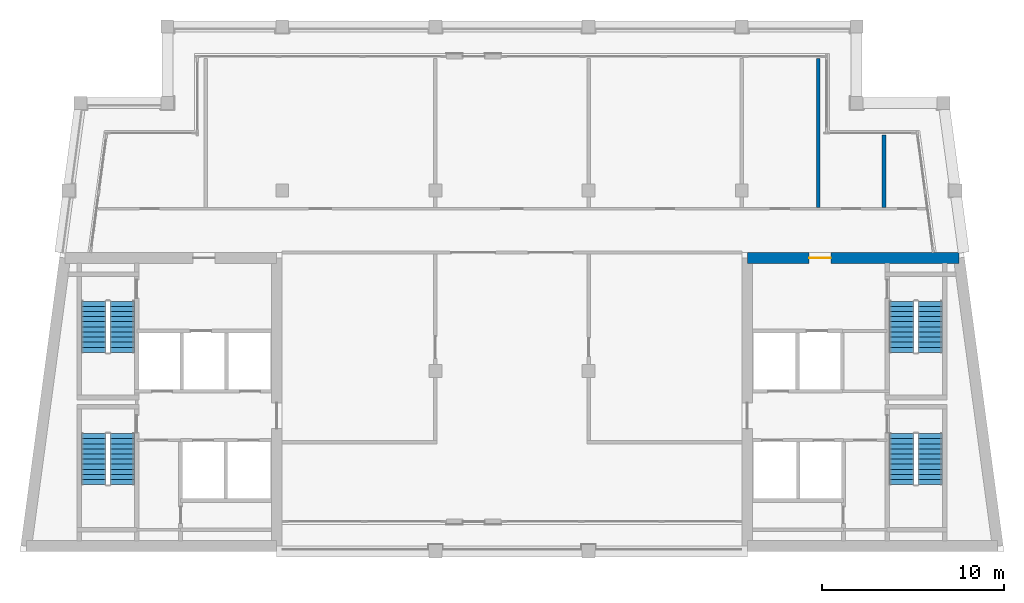
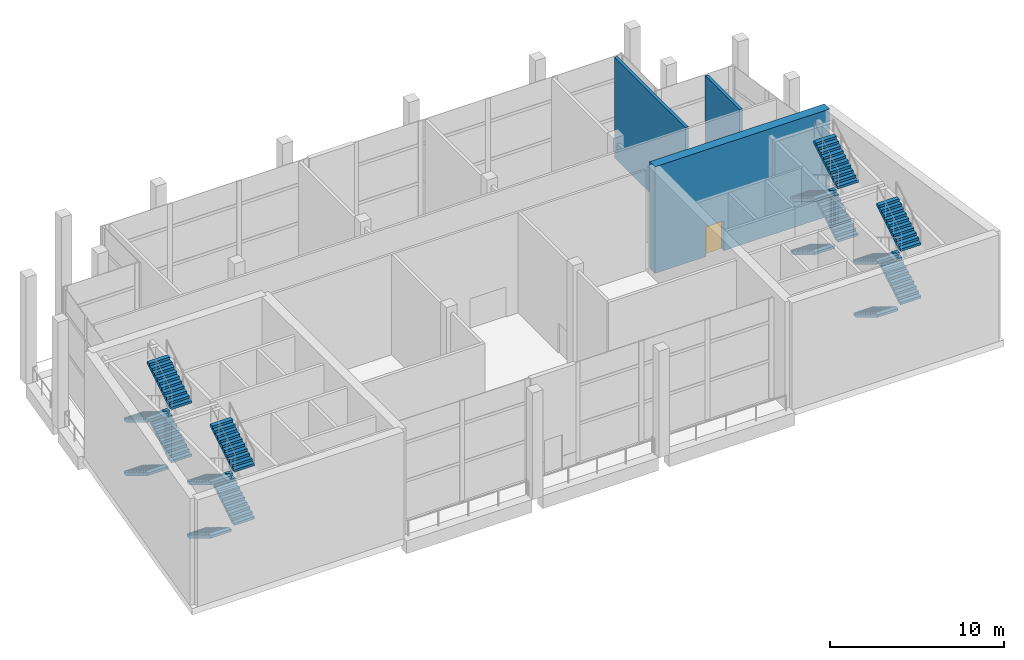
# One storey, part 6 of 9: 16 stair flights, 3 walls, 1 door, 1 opening, 4 elements without a shape of their own.
"""IFC4 building model written with IfcOpenShell, lengths in metres."""

from ifc_helpers import new_model, si_unit, direction, frame, frame_2d, origin, place, context, subcontext, project, spatial, polyline, rectangle, outline, extrude, material, layer, layer_set, type_object, element, fill, aggregate, save


model = new_model("IFC4")

# Units and contexts
model_context = context("Model", 3, precision=1e-05, world=origin(), true_north=direction((0.0, 1.0)))
body_context = subcontext(model_context, "Body", "Model", "MODEL_VIEW")
ifc_project = project(units=[si_unit("LENGTHUNIT", "METRE"), si_unit("AREAUNIT", "SQUARE_METRE"), si_unit("VOLUMEUNIT", "CUBIC_METRE"), si_unit("PLANEANGLEUNIT", "RADIAN"), si_unit("MASSUNIT", "GRAM", prefix="KILO")], contexts=[model_context])

# Site, building, storey
site_placement = place(None, origin())
site = spatial("IfcSite", under=ifc_project, at=site_placement, CompositionType="ELEMENT")
building_placement = place(site_placement, origin())
building = spatial("IfcBuilding", under=site, at=building_placement, Name="Candeia Pilgrim Tower and Theatre", CompositionType="ELEMENT")
storey_placement = place(building_placement, frame((0.0, 0.0, 307.89990234375)))
storey = spatial("IfcBuildingStorey", under=building, at=storey_placement, Name="L75", CompositionType="ELEMENT", Elevation=307.89990234375)

# Wall, opening, door
ifc_material_1 = material(Name="Concrete C40/50", Category="concrete")
ifc_layer_1 = layer(ifc_material_1, 0.60009765625)
ifc_layer_set_1 = layer_set([ifc_layer_1], Name="Core wall 600 C40/50")
wall_type_1 = type_object("IfcWallType", Name="Core wall 600 C40/50", PredefinedType="SHEAR", material=ifc_layer_set_1)
wall_1_placement = place(storey_placement, frame((126.300048828125, 132.10009765625, 0.0), z_axis=(0.0, 0.0, 1.0), x_axis=(1.0, 0.0, 0.0)))
wall_1 = element("IfcWall", 1, at=wall_1_placement, inside=storey, type_object=wall_type_1, Name="Core wall E1", PredefinedType="SHEAR", context=body_context, shape_type="SweptSolid", body=[
    extrude(rectangle(XDim=11.60693359375, YDim=0.60009765625, at=frame_2d((5.803466796875, 0.0))), origin(), (0.0, 0.0, 1.0), 7.5),
])
opening_placement = place(wall_1_placement, frame((3.386474609375, 0.0, 0.0)))
opening = element("IfcOpeningElement", 2, at=opening_placement, cuts=wall_1, Name="Opening L75-D022", PredefinedType="OPENING", context=body_context, shape_type="SweptSolid", body=[
    extrude(rectangle(XDim=1.199951171875, YDim=2.10009765625, at=frame_2d((0.60009765625, 1.050048828125))), frame((0.0, 0.31005859375, 0.0), z_axis=(0.0, -1.0, 0.0), x_axis=(1.0, 0.0, 0.0)), (0.0, 0.0, 1.0), 0.6201171875),
])
ifc_material_2 = material(Name="Steel fire door set", Category="steel")
door_type = type_object("IfcDoorType", Name="D-1200-FD60", OperationType="NOTDEFINED", PredefinedType="DOOR", material=ifc_material_2)
door_placement = place(opening_placement, origin())
door = element("IfcDoor", 3, at=door_placement, inside=storey, type_object=door_type, Name="Door L75-D022", OperationType="SINGLE_SWING_RIGHT", OverallHeight=2.10009765625, OverallWidth=1.199951171875, PredefinedType="DOOR", context=body_context, shape_type="SweptSolid", body=[
    extrude(rectangle(XDim=1.199951171875, YDim=2.10009765625, at=frame_2d((0.60009765625, 1.050048828125))), frame((0.0, 0.02490234375, 0.0), z_axis=(0.0, -1.0, 0.0), x_axis=(1.0, 0.0, 0.0)), (0.0, 0.0, 1.0), 0.050048828125),
])
fill(opening, door)

# Walls
ifc_material_3 = material(Name="Gypsum board partition on steel studs", Category="steel")
ifc_layer_2 = layer(ifc_material_3, 0.199951171875)
ifc_layer_set_2 = layer_set([ifc_layer_2], Name="PW-200 party wall")
wall_type_2 = type_object("IfcWallType", Name="PW-200 party wall", PredefinedType="PARTITIONING", material=ifc_layer_set_2)
wall_2_placement = place(storey_placement, frame((130.199951171875, 134.875, 0.0), z_axis=(0.0, 0.0, 1.0), x_axis=(0.0, 1.0, 0.0)))
element("IfcWall", 4, at=wall_2_placement, inside=storey, type_object=wall_type_2, Name="Party wall L75-046", PredefinedType="PARTITIONING", context=body_context, shape_type="SweptSolid", body=[
    extrude(rectangle(XDim=8.1650390625, YDim=0.199951171875, at=frame_2d((4.08251953125, 0.0))), origin(), (0.0, 0.0, 1.0), 7.050048828125),
])
wall_3_placement = place(storey_placement, frame((133.800048828125, 134.875, 0.0), z_axis=(0.0, 0.0, 1.0), x_axis=(0.0, 1.0, 0.0)))
element("IfcWall", 5, at=wall_3_placement, inside=storey, type_object=wall_type_2, Name="Party wall L75-049", PredefinedType="PARTITIONING", context=body_context, shape_type="SweptSolid", body=[
    extrude(rectangle(XDim=3.965087890625, YDim=0.199951171875, at=frame_2d((1.982421875, 0.0))), origin(), (0.0, 0.0, 1.0), 7.050048828125),
])

# Stair, stair flights
stair_type = type_object("IfcStairType", Name="ST-TWR dog-leg escape stair", PredefinedType="HALF_TURN_STAIR", material=ifc_material_1)
stair_1_placement = place(storey_placement, origin())
stair_1 = element("IfcStair", 6, at=stair_1_placement, inside=storey, type_object=stair_type, Name="L75 Escape stair ST1", PredefinedType="HALF_TURN_STAIR")
stair_flight_type = type_object("IfcStairFlightType", Name="SFL-RC stair flight", PredefinedType="STRAIGHT", material=ifc_material_1)
stair_flight_1_placement = place(storey_placement, frame((90.47705078125, 122.47509765625, 0.0), z_axis=(0.0, 0.0, 1.0), x_axis=(0.0, -1.0, 0.0)))
stair_flight_1 = element("IfcStairFlight", 7, at=stair_flight_1_placement, type_object=stair_flight_type, Name="ST1 flight 1", NumberOfRisers=11, NumberOfTreads=10, PredefinedType="STRAIGHT", RiserHeight=0.170454545, TreadLength=0.28, context=body_context, shape_type="SweptSolid", body=[
    extrude(outline(polyline([(0.0, 0.0), (0.0, 0.17041015625), (0.280029296875, 0.17041015625), (0.280029296875, 0.3408203125), (0.56005859375, 0.3408203125), (0.56005859375, 0.511474609375), (0.840087890625, 0.511474609375), (0.840087890625, 0.681884765625), (1.1201171875, 0.681884765625), (1.1201171875, 0.852294921875), (1.39990234375, 0.852294921875), (1.39990234375, 1.022705078125), (1.679931640625, 1.022705078125), (1.679931640625, 1.193115234375), (1.9599609375, 1.193115234375), (1.9599609375, 1.363525390625), (2.239990234375, 1.363525390625), (2.239990234375, 1.5341796875), (2.52001953125, 1.5341796875), (2.52001953125, 1.70458984375), (2.800048828125, 1.70458984375), (2.800048828125, 1.875), (2.800048828125, 1.529052734375), (0.288330078125, 0.0), (0.0, 0.0)])), frame((0.0, 0.675048828125, 0.0), z_axis=(0.0, -1.0, 0.0), x_axis=(1.0, 0.0, 0.0)), (0.0, 0.0, 1.0), 1.35009765625),
])
stair_flight_2_placement = place(storey_placement, frame((92.027099609375, 119.675048828125, 1.875), z_axis=(0.0, 0.0, 1.0), x_axis=(0.0, 1.0, 0.0)))
stair_flight_2 = element("IfcStairFlight", 8, at=stair_flight_2_placement, type_object=stair_flight_type, Name="ST1 flight 2", NumberOfRisers=11, NumberOfTreads=10, PredefinedType="STRAIGHT", RiserHeight=0.170454545, TreadLength=0.28, context=body_context, shape_type="SweptSolid", body=[
    extrude(outline(polyline([(0.0, 0.0), (0.0, 0.17041015625), (0.280029296875, 0.17041015625), (0.280029296875, 0.3408203125), (0.56005859375, 0.3408203125), (0.56005859375, 0.511474609375), (0.840087890625, 0.511474609375), (0.840087890625, 0.681884765625), (1.1201171875, 0.681884765625), (1.1201171875, 0.852294921875), (1.39990234375, 0.852294921875), (1.39990234375, 1.022705078125), (1.679931640625, 1.022705078125), (1.679931640625, 1.193115234375), (1.9599609375, 1.193115234375), (1.9599609375, 1.363525390625), (2.239990234375, 1.363525390625), (2.239990234375, 1.5341796875), (2.52001953125, 1.5341796875), (2.52001953125, 1.70458984375), (2.800048828125, 1.70458984375), (2.800048828125, 1.875), (2.800048828125, 1.529052734375), (0.288330078125, 0.0), (0.0, 0.0)])), frame((0.0, 0.675048828125, 0.0), z_axis=(0.0, -1.0, 0.0), x_axis=(1.0, 0.0, 0.0)), (0.0, 0.0, 1.0), 1.35009765625),
])
stair_flight_3_placement = place(storey_placement, frame((90.47705078125, 122.47509765625, 3.75), z_axis=(0.0, 0.0, 1.0), x_axis=(0.0, -1.0, 0.0)))
stair_flight_3 = element("IfcStairFlight", 9, at=stair_flight_3_placement, type_object=stair_flight_type, Name="ST1 flight 3", NumberOfRisers=11, NumberOfTreads=10, PredefinedType="STRAIGHT", RiserHeight=0.170454545, TreadLength=0.28, context=body_context, shape_type="SweptSolid", body=[
    extrude(outline(polyline([(0.0, 0.0), (0.0, 0.17041015625), (0.280029296875, 0.17041015625), (0.280029296875, 0.3408203125), (0.56005859375, 0.3408203125), (0.56005859375, 0.511474609375), (0.840087890625, 0.511474609375), (0.840087890625, 0.681884765625), (1.1201171875, 0.681884765625), (1.1201171875, 0.852294921875), (1.39990234375, 0.852294921875), (1.39990234375, 1.022705078125), (1.679931640625, 1.022705078125), (1.679931640625, 1.193115234375), (1.9599609375, 1.193115234375), (1.9599609375, 1.363525390625), (2.239990234375, 1.363525390625), (2.239990234375, 1.5341796875), (2.52001953125, 1.5341796875), (2.52001953125, 1.70458984375), (2.800048828125, 1.70458984375), (2.800048828125, 1.875), (2.800048828125, 1.529052734375), (0.288330078125, 0.0), (0.0, 0.0)])), frame((0.0, 0.675048828125, 0.0), z_axis=(0.0, -1.0, 0.0), x_axis=(1.0, 0.0, 0.0)), (0.0, 0.0, 1.0), 1.35009765625),
])
stair_flight_4_placement = place(storey_placement, frame((92.027099609375, 119.675048828125, 5.625), z_axis=(0.0, 0.0, 1.0), x_axis=(0.0, 1.0, 0.0)))
stair_flight_4 = element("IfcStairFlight", 10, at=stair_flight_4_placement, type_object=stair_flight_type, Name="ST1 flight 4", NumberOfRisers=11, NumberOfTreads=10, PredefinedType="STRAIGHT", RiserHeight=0.170454545, TreadLength=0.28, context=body_context, shape_type="SweptSolid", body=[
    extrude(outline(polyline([(0.0, 0.0), (0.0, 0.17041015625), (0.280029296875, 0.17041015625), (0.280029296875, 0.3408203125), (0.56005859375, 0.3408203125), (0.56005859375, 0.511474609375), (0.840087890625, 0.511474609375), (0.840087890625, 0.681884765625), (1.1201171875, 0.681884765625), (1.1201171875, 0.852294921875), (1.39990234375, 0.852294921875), (1.39990234375, 1.022705078125), (1.679931640625, 1.022705078125), (1.679931640625, 1.193115234375), (1.9599609375, 1.193115234375), (1.9599609375, 1.363525390625), (2.239990234375, 1.363525390625), (2.239990234375, 1.5341796875), (2.52001953125, 1.5341796875), (2.52001953125, 1.70458984375), (2.800048828125, 1.70458984375), (2.800048828125, 1.875), (2.800048828125, 1.529052734375), (0.288330078125, 0.0), (0.0, 0.0)])), frame((0.0, 0.675048828125, 0.0), z_axis=(0.0, -1.0, 0.0), x_axis=(1.0, 0.0, 0.0)), (0.0, 0.0, 1.0), 1.35009765625),
])
aggregate(stair_1, [stair_flight_1, stair_flight_2, stair_flight_3, stair_flight_4])

stair_2_placement = place(storey_placement, origin())
stair_2 = element("IfcStair", 11, at=stair_2_placement, inside=storey, type_object=stair_type, Name="L75 Escape stair ST2", PredefinedType="HALF_TURN_STAIR")
stair_flight_5_placement = place(storey_placement, frame((90.47705078125, 129.72509765625, 0.0), z_axis=(0.0, 0.0, 1.0), x_axis=(0.0, -1.0, 0.0)))
stair_flight_5 = element("IfcStairFlight", 12, at=stair_flight_5_placement, type_object=stair_flight_type, Name="ST2 flight 1", NumberOfRisers=11, NumberOfTreads=10, PredefinedType="STRAIGHT", RiserHeight=0.170454545, TreadLength=0.28, context=body_context, shape_type="SweptSolid", body=[
    extrude(outline(polyline([(0.0, 0.0), (0.0, 0.17041015625), (0.280029296875, 0.17041015625), (0.280029296875, 0.3408203125), (0.56005859375, 0.3408203125), (0.56005859375, 0.511474609375), (0.840087890625, 0.511474609375), (0.840087890625, 0.681884765625), (1.1201171875, 0.681884765625), (1.1201171875, 0.852294921875), (1.39990234375, 0.852294921875), (1.39990234375, 1.022705078125), (1.679931640625, 1.022705078125), (1.679931640625, 1.193115234375), (1.9599609375, 1.193115234375), (1.9599609375, 1.363525390625), (2.239990234375, 1.363525390625), (2.239990234375, 1.5341796875), (2.52001953125, 1.5341796875), (2.52001953125, 1.70458984375), (2.800048828125, 1.70458984375), (2.800048828125, 1.875), (2.800048828125, 1.529052734375), (0.288330078125, 0.0), (0.0, 0.0)])), frame((0.0, 0.675048828125, 0.0), z_axis=(0.0, -1.0, 0.0), x_axis=(1.0, 0.0, 0.0)), (0.0, 0.0, 1.0), 1.35009765625),
])
stair_flight_6_placement = place(storey_placement, frame((92.027099609375, 126.925048828125, 1.875), z_axis=(0.0, 0.0, 1.0), x_axis=(0.0, 1.0, 0.0)))
stair_flight_6 = element("IfcStairFlight", 13, at=stair_flight_6_placement, type_object=stair_flight_type, Name="ST2 flight 2", NumberOfRisers=11, NumberOfTreads=10, PredefinedType="STRAIGHT", RiserHeight=0.170454545, TreadLength=0.28, context=body_context, shape_type="SweptSolid", body=[
    extrude(outline(polyline([(0.0, 0.0), (0.0, 0.17041015625), (0.280029296875, 0.17041015625), (0.280029296875, 0.3408203125), (0.56005859375, 0.3408203125), (0.56005859375, 0.511474609375), (0.840087890625, 0.511474609375), (0.840087890625, 0.681884765625), (1.1201171875, 0.681884765625), (1.1201171875, 0.852294921875), (1.39990234375, 0.852294921875), (1.39990234375, 1.022705078125), (1.679931640625, 1.022705078125), (1.679931640625, 1.193115234375), (1.9599609375, 1.193115234375), (1.9599609375, 1.363525390625), (2.239990234375, 1.363525390625), (2.239990234375, 1.5341796875), (2.52001953125, 1.5341796875), (2.52001953125, 1.70458984375), (2.800048828125, 1.70458984375), (2.800048828125, 1.875), (2.800048828125, 1.529052734375), (0.288330078125, 0.0), (0.0, 0.0)])), frame((0.0, 0.675048828125, 0.0), z_axis=(0.0, -1.0, 0.0), x_axis=(1.0, 0.0, 0.0)), (0.0, 0.0, 1.0), 1.35009765625),
])
stair_flight_7_placement = place(storey_placement, frame((90.47705078125, 129.72509765625, 3.75), z_axis=(0.0, 0.0, 1.0), x_axis=(0.0, -1.0, 0.0)))
stair_flight_7 = element("IfcStairFlight", 14, at=stair_flight_7_placement, type_object=stair_flight_type, Name="ST2 flight 3", NumberOfRisers=11, NumberOfTreads=10, PredefinedType="STRAIGHT", RiserHeight=0.170454545, TreadLength=0.28, context=body_context, shape_type="SweptSolid", body=[
    extrude(outline(polyline([(0.0, 0.0), (0.0, 0.17041015625), (0.280029296875, 0.17041015625), (0.280029296875, 0.3408203125), (0.56005859375, 0.3408203125), (0.56005859375, 0.511474609375), (0.840087890625, 0.511474609375), (0.840087890625, 0.681884765625), (1.1201171875, 0.681884765625), (1.1201171875, 0.852294921875), (1.39990234375, 0.852294921875), (1.39990234375, 1.022705078125), (1.679931640625, 1.022705078125), (1.679931640625, 1.193115234375), (1.9599609375, 1.193115234375), (1.9599609375, 1.363525390625), (2.239990234375, 1.363525390625), (2.239990234375, 1.5341796875), (2.52001953125, 1.5341796875), (2.52001953125, 1.70458984375), (2.800048828125, 1.70458984375), (2.800048828125, 1.875), (2.800048828125, 1.529052734375), (0.288330078125, 0.0), (0.0, 0.0)])), frame((0.0, 0.675048828125, 0.0), z_axis=(0.0, -1.0, 0.0), x_axis=(1.0, 0.0, 0.0)), (0.0, 0.0, 1.0), 1.35009765625),
])
stair_flight_8_placement = place(storey_placement, frame((92.027099609375, 126.925048828125, 5.625), z_axis=(0.0, 0.0, 1.0), x_axis=(0.0, 1.0, 0.0)))
stair_flight_8 = element("IfcStairFlight", 15, at=stair_flight_8_placement, type_object=stair_flight_type, Name="ST2 flight 4", NumberOfRisers=11, NumberOfTreads=10, PredefinedType="STRAIGHT", RiserHeight=0.170454545, TreadLength=0.28, context=body_context, shape_type="SweptSolid", body=[
    extrude(outline(polyline([(0.0, 0.0), (0.0, 0.17041015625), (0.280029296875, 0.17041015625), (0.280029296875, 0.3408203125), (0.56005859375, 0.3408203125), (0.56005859375, 0.511474609375), (0.840087890625, 0.511474609375), (0.840087890625, 0.681884765625), (1.1201171875, 0.681884765625), (1.1201171875, 0.852294921875), (1.39990234375, 0.852294921875), (1.39990234375, 1.022705078125), (1.679931640625, 1.022705078125), (1.679931640625, 1.193115234375), (1.9599609375, 1.193115234375), (1.9599609375, 1.363525390625), (2.239990234375, 1.363525390625), (2.239990234375, 1.5341796875), (2.52001953125, 1.5341796875), (2.52001953125, 1.70458984375), (2.800048828125, 1.70458984375), (2.800048828125, 1.875), (2.800048828125, 1.529052734375), (0.288330078125, 0.0), (0.0, 0.0)])), frame((0.0, 0.675048828125, 0.0), z_axis=(0.0, -1.0, 0.0), x_axis=(1.0, 0.0, 0.0)), (0.0, 0.0, 1.0), 1.35009765625),
])
aggregate(stair_2, [stair_flight_5, stair_flight_6, stair_flight_7, stair_flight_8])

stair_3_placement = place(storey_placement, origin())
stair_3 = element("IfcStair", 16, at=stair_3_placement, inside=storey, type_object=stair_type, Name="L75 Escape stair ST3", PredefinedType="HALF_TURN_STAIR")
stair_flight_9_placement = place(storey_placement, frame((134.77294921875, 122.47509765625, 0.0), z_axis=(0.0, 0.0, 1.0), x_axis=(0.0, -1.0, 0.0)))
stair_flight_9 = element("IfcStairFlight", 17, at=stair_flight_9_placement, type_object=stair_flight_type, Name="ST3 flight 1", NumberOfRisers=11, NumberOfTreads=10, PredefinedType="STRAIGHT", RiserHeight=0.170454545, TreadLength=0.28, context=body_context, shape_type="SweptSolid", body=[
    extrude(outline(polyline([(0.0, 0.0), (0.0, 0.17041015625), (0.280029296875, 0.17041015625), (0.280029296875, 0.3408203125), (0.56005859375, 0.3408203125), (0.56005859375, 0.511474609375), (0.840087890625, 0.511474609375), (0.840087890625, 0.681884765625), (1.1201171875, 0.681884765625), (1.1201171875, 0.852294921875), (1.39990234375, 0.852294921875), (1.39990234375, 1.022705078125), (1.679931640625, 1.022705078125), (1.679931640625, 1.193115234375), (1.9599609375, 1.193115234375), (1.9599609375, 1.363525390625), (2.239990234375, 1.363525390625), (2.239990234375, 1.5341796875), (2.52001953125, 1.5341796875), (2.52001953125, 1.70458984375), (2.800048828125, 1.70458984375), (2.800048828125, 1.875), (2.800048828125, 1.529052734375), (0.288330078125, 0.0), (0.0, 0.0)])), frame((0.0, 0.675048828125, 0.0), z_axis=(0.0, -1.0, 0.0), x_axis=(1.0, 0.0, 0.0)), (0.0, 0.0, 1.0), 1.35009765625),
])
stair_flight_10_placement = place(storey_placement, frame((136.322998046875, 119.675048828125, 1.875), z_axis=(0.0, 0.0, 1.0), x_axis=(0.0, 1.0, 0.0)))
stair_flight_10 = element("IfcStairFlight", 18, at=stair_flight_10_placement, type_object=stair_flight_type, Name="ST3 flight 2", NumberOfRisers=11, NumberOfTreads=10, PredefinedType="STRAIGHT", RiserHeight=0.170454545, TreadLength=0.28, context=body_context, shape_type="SweptSolid", body=[
    extrude(outline(polyline([(0.0, 0.0), (0.0, 0.17041015625), (0.280029296875, 0.17041015625), (0.280029296875, 0.3408203125), (0.56005859375, 0.3408203125), (0.56005859375, 0.511474609375), (0.840087890625, 0.511474609375), (0.840087890625, 0.681884765625), (1.1201171875, 0.681884765625), (1.1201171875, 0.852294921875), (1.39990234375, 0.852294921875), (1.39990234375, 1.022705078125), (1.679931640625, 1.022705078125), (1.679931640625, 1.193115234375), (1.9599609375, 1.193115234375), (1.9599609375, 1.363525390625), (2.239990234375, 1.363525390625), (2.239990234375, 1.5341796875), (2.52001953125, 1.5341796875), (2.52001953125, 1.70458984375), (2.800048828125, 1.70458984375), (2.800048828125, 1.875), (2.800048828125, 1.529052734375), (0.288330078125, 0.0), (0.0, 0.0)])), frame((0.0, 0.675048828125, 0.0), z_axis=(0.0, -1.0, 0.0), x_axis=(1.0, 0.0, 0.0)), (0.0, 0.0, 1.0), 1.35009765625),
])
stair_flight_11_placement = place(storey_placement, frame((134.77294921875, 122.47509765625, 3.75), z_axis=(0.0, 0.0, 1.0), x_axis=(0.0, -1.0, 0.0)))
stair_flight_11 = element("IfcStairFlight", 19, at=stair_flight_11_placement, type_object=stair_flight_type, Name="ST3 flight 3", NumberOfRisers=11, NumberOfTreads=10, PredefinedType="STRAIGHT", RiserHeight=0.170454545, TreadLength=0.28, context=body_context, shape_type="SweptSolid", body=[
    extrude(outline(polyline([(0.0, 0.0), (0.0, 0.17041015625), (0.280029296875, 0.17041015625), (0.280029296875, 0.3408203125), (0.56005859375, 0.3408203125), (0.56005859375, 0.511474609375), (0.840087890625, 0.511474609375), (0.840087890625, 0.681884765625), (1.1201171875, 0.681884765625), (1.1201171875, 0.852294921875), (1.39990234375, 0.852294921875), (1.39990234375, 1.022705078125), (1.679931640625, 1.022705078125), (1.679931640625, 1.193115234375), (1.9599609375, 1.193115234375), (1.9599609375, 1.363525390625), (2.239990234375, 1.363525390625), (2.239990234375, 1.5341796875), (2.52001953125, 1.5341796875), (2.52001953125, 1.70458984375), (2.800048828125, 1.70458984375), (2.800048828125, 1.875), (2.800048828125, 1.529052734375), (0.288330078125, 0.0), (0.0, 0.0)])), frame((0.0, 0.675048828125, 0.0), z_axis=(0.0, -1.0, 0.0), x_axis=(1.0, 0.0, 0.0)), (0.0, 0.0, 1.0), 1.35009765625),
])
stair_flight_12_placement = place(storey_placement, frame((136.322998046875, 119.675048828125, 5.625), z_axis=(0.0, 0.0, 1.0), x_axis=(0.0, 1.0, 0.0)))
stair_flight_12 = element("IfcStairFlight", 20, at=stair_flight_12_placement, type_object=stair_flight_type, Name="ST3 flight 4", NumberOfRisers=11, NumberOfTreads=10, PredefinedType="STRAIGHT", RiserHeight=0.170454545, TreadLength=0.28, context=body_context, shape_type="SweptSolid", body=[
    extrude(outline(polyline([(0.0, 0.0), (0.0, 0.17041015625), (0.280029296875, 0.17041015625), (0.280029296875, 0.3408203125), (0.56005859375, 0.3408203125), (0.56005859375, 0.511474609375), (0.840087890625, 0.511474609375), (0.840087890625, 0.681884765625), (1.1201171875, 0.681884765625), (1.1201171875, 0.852294921875), (1.39990234375, 0.852294921875), (1.39990234375, 1.022705078125), (1.679931640625, 1.022705078125), (1.679931640625, 1.193115234375), (1.9599609375, 1.193115234375), (1.9599609375, 1.363525390625), (2.239990234375, 1.363525390625), (2.239990234375, 1.5341796875), (2.52001953125, 1.5341796875), (2.52001953125, 1.70458984375), (2.800048828125, 1.70458984375), (2.800048828125, 1.875), (2.800048828125, 1.529052734375), (0.288330078125, 0.0), (0.0, 0.0)])), frame((0.0, 0.675048828125, 0.0), z_axis=(0.0, -1.0, 0.0), x_axis=(1.0, 0.0, 0.0)), (0.0, 0.0, 1.0), 1.35009765625),
])
aggregate(stair_3, [stair_flight_9, stair_flight_10, stair_flight_11, stair_flight_12])

stair_4_placement = place(storey_placement, origin())
stair_4 = element("IfcStair", 21, at=stair_4_placement, inside=storey, type_object=stair_type, Name="L75 Escape stair ST4", PredefinedType="HALF_TURN_STAIR")
stair_flight_13_placement = place(storey_placement, frame((134.77294921875, 129.72509765625, 0.0), z_axis=(0.0, 0.0, 1.0), x_axis=(0.0, -1.0, 0.0)))
stair_flight_13 = element("IfcStairFlight", 22, at=stair_flight_13_placement, type_object=stair_flight_type, Name="ST4 flight 1", NumberOfRisers=11, NumberOfTreads=10, PredefinedType="STRAIGHT", RiserHeight=0.170454545, TreadLength=0.28, context=body_context, shape_type="SweptSolid", body=[
    extrude(outline(polyline([(0.0, 0.0), (0.0, 0.17041015625), (0.280029296875, 0.17041015625), (0.280029296875, 0.3408203125), (0.56005859375, 0.3408203125), (0.56005859375, 0.511474609375), (0.840087890625, 0.511474609375), (0.840087890625, 0.681884765625), (1.1201171875, 0.681884765625), (1.1201171875, 0.852294921875), (1.39990234375, 0.852294921875), (1.39990234375, 1.022705078125), (1.679931640625, 1.022705078125), (1.679931640625, 1.193115234375), (1.9599609375, 1.193115234375), (1.9599609375, 1.363525390625), (2.239990234375, 1.363525390625), (2.239990234375, 1.5341796875), (2.52001953125, 1.5341796875), (2.52001953125, 1.70458984375), (2.800048828125, 1.70458984375), (2.800048828125, 1.875), (2.800048828125, 1.529052734375), (0.288330078125, 0.0), (0.0, 0.0)])), frame((0.0, 0.675048828125, 0.0), z_axis=(0.0, -1.0, 0.0), x_axis=(1.0, 0.0, 0.0)), (0.0, 0.0, 1.0), 1.35009765625),
])
stair_flight_14_placement = place(storey_placement, frame((136.322998046875, 126.925048828125, 1.875), z_axis=(0.0, 0.0, 1.0), x_axis=(0.0, 1.0, 0.0)))
stair_flight_14 = element("IfcStairFlight", 23, at=stair_flight_14_placement, type_object=stair_flight_type, Name="ST4 flight 2", NumberOfRisers=11, NumberOfTreads=10, PredefinedType="STRAIGHT", RiserHeight=0.170454545, TreadLength=0.28, context=body_context, shape_type="SweptSolid", body=[
    extrude(outline(polyline([(0.0, 0.0), (0.0, 0.17041015625), (0.280029296875, 0.17041015625), (0.280029296875, 0.3408203125), (0.56005859375, 0.3408203125), (0.56005859375, 0.511474609375), (0.840087890625, 0.511474609375), (0.840087890625, 0.681884765625), (1.1201171875, 0.681884765625), (1.1201171875, 0.852294921875), (1.39990234375, 0.852294921875), (1.39990234375, 1.022705078125), (1.679931640625, 1.022705078125), (1.679931640625, 1.193115234375), (1.9599609375, 1.193115234375), (1.9599609375, 1.363525390625), (2.239990234375, 1.363525390625), (2.239990234375, 1.5341796875), (2.52001953125, 1.5341796875), (2.52001953125, 1.70458984375), (2.800048828125, 1.70458984375), (2.800048828125, 1.875), (2.800048828125, 1.529052734375), (0.288330078125, 0.0), (0.0, 0.0)])), frame((0.0, 0.675048828125, 0.0), z_axis=(0.0, -1.0, 0.0), x_axis=(1.0, 0.0, 0.0)), (0.0, 0.0, 1.0), 1.35009765625),
])
stair_flight_15_placement = place(storey_placement, frame((134.77294921875, 129.72509765625, 3.75), z_axis=(0.0, 0.0, 1.0), x_axis=(0.0, -1.0, 0.0)))
stair_flight_15 = element("IfcStairFlight", 24, at=stair_flight_15_placement, type_object=stair_flight_type, Name="ST4 flight 3", NumberOfRisers=11, NumberOfTreads=10, PredefinedType="STRAIGHT", RiserHeight=0.170454545, TreadLength=0.28, context=body_context, shape_type="SweptSolid", body=[
    extrude(outline(polyline([(0.0, 0.0), (0.0, 0.17041015625), (0.280029296875, 0.17041015625), (0.280029296875, 0.3408203125), (0.56005859375, 0.3408203125), (0.56005859375, 0.511474609375), (0.840087890625, 0.511474609375), (0.840087890625, 0.681884765625), (1.1201171875, 0.681884765625), (1.1201171875, 0.852294921875), (1.39990234375, 0.852294921875), (1.39990234375, 1.022705078125), (1.679931640625, 1.022705078125), (1.679931640625, 1.193115234375), (1.9599609375, 1.193115234375), (1.9599609375, 1.363525390625), (2.239990234375, 1.363525390625), (2.239990234375, 1.5341796875), (2.52001953125, 1.5341796875), (2.52001953125, 1.70458984375), (2.800048828125, 1.70458984375), (2.800048828125, 1.875), (2.800048828125, 1.529052734375), (0.288330078125, 0.0), (0.0, 0.0)])), frame((0.0, 0.675048828125, 0.0), z_axis=(0.0, -1.0, 0.0), x_axis=(1.0, 0.0, 0.0)), (0.0, 0.0, 1.0), 1.35009765625),
])
stair_flight_16_placement = place(storey_placement, frame((136.322998046875, 126.925048828125, 5.625), z_axis=(0.0, 0.0, 1.0), x_axis=(0.0, 1.0, 0.0)))
stair_flight_16 = element("IfcStairFlight", 25, at=stair_flight_16_placement, type_object=stair_flight_type, Name="ST4 flight 4", NumberOfRisers=11, NumberOfTreads=10, PredefinedType="STRAIGHT", RiserHeight=0.170454545, TreadLength=0.28, context=body_context, shape_type="SweptSolid", body=[
    extrude(outline(polyline([(0.0, 0.0), (0.0, 0.17041015625), (0.280029296875, 0.17041015625), (0.280029296875, 0.3408203125), (0.56005859375, 0.3408203125), (0.56005859375, 0.511474609375), (0.840087890625, 0.511474609375), (0.840087890625, 0.681884765625), (1.1201171875, 0.681884765625), (1.1201171875, 0.852294921875), (1.39990234375, 0.852294921875), (1.39990234375, 1.022705078125), (1.679931640625, 1.022705078125), (1.679931640625, 1.193115234375), (1.9599609375, 1.193115234375), (1.9599609375, 1.363525390625), (2.239990234375, 1.363525390625), (2.239990234375, 1.5341796875), (2.52001953125, 1.5341796875), (2.52001953125, 1.70458984375), (2.800048828125, 1.70458984375), (2.800048828125, 1.875), (2.800048828125, 1.529052734375), (0.288330078125, 0.0), (0.0, 0.0)])), frame((0.0, 0.675048828125, 0.0), z_axis=(0.0, -1.0, 0.0), x_axis=(1.0, 0.0, 0.0)), (0.0, 0.0, 1.0), 1.35009765625),
])
aggregate(stair_4, [stair_flight_13, stair_flight_14, stair_flight_15, stair_flight_16])

save(model, "model.ifc")
